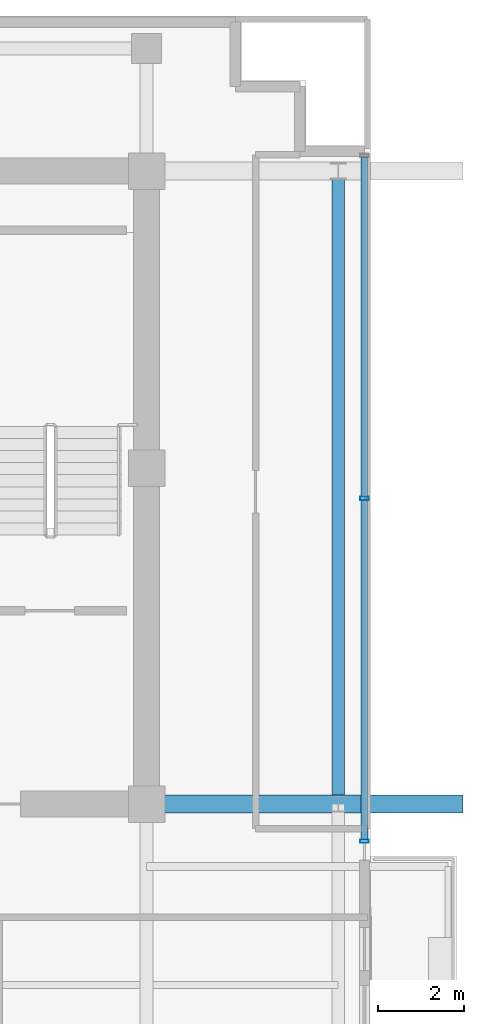
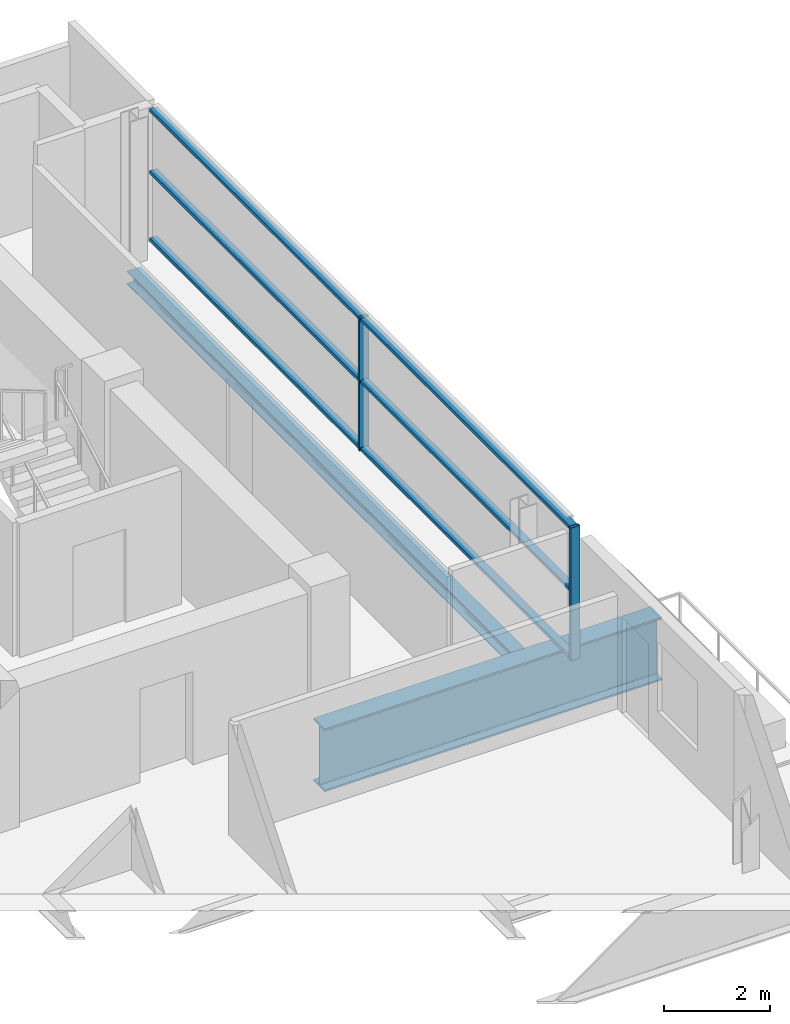
# One storey, part 11 of 24: 8 members, 2 beams, 1 element without a shape of its own.
"""IFC4 building model written with IfcOpenShell, lengths in metres."""

from ifc_helpers import new_model, si_unit, direction, frame, origin, origin_2d, place, context, subcontext, project, spatial, hollow_rectangle, i_section, extrude, source, transform, mapped, material, layer, layer_set, material_profile, profile_set, type_object, element, aggregate, save


model = new_model("IFC4")

# Units and contexts
model_context = context("Model", 3, precision=1e-05, world=origin(), true_north=direction((0.0, 1.0)))
body_context = subcontext(model_context, "Body", "Model", "MODEL_VIEW")
ifc_project = project(units=[si_unit("LENGTHUNIT", "METRE"), si_unit("AREAUNIT", "SQUARE_METRE"), si_unit("VOLUMEUNIT", "CUBIC_METRE"), si_unit("PLANEANGLEUNIT", "RADIAN"), si_unit("MASSUNIT", "GRAM", prefix="KILO")], contexts=[model_context])

# Site, building, storey
site_placement = place(None, origin())
site = spatial("IfcSite", under=ifc_project, at=site_placement, CompositionType="ELEMENT")
building_placement = place(site_placement, origin())
building = spatial("IfcBuilding", under=site, at=building_placement, Name="Zarnakvel Exchange Tower", CompositionType="ELEMENT")
storey_placement = place(building_placement, frame((0.0, 0.0, 205.60009765625)))
storey = spatial("IfcBuildingStorey", under=building, at=storey_placement, Name="L57", CompositionType="ELEMENT", Elevation=205.60009765625)

# Beams
ifc_material_1 = material(Name="Steel S355", Category="steel")
ifc_material_profile_1 = material_profile(ifc_material_1, i_section(OverallWidth=0.300048828125, OverallDepth=0.300048828125, WebThickness=0.010986328125, FlangeThickness=0.01904296875, FilletRadius=0.027099609375, at=origin_2d()))
ifc_profile_set_1 = profile_set([ifc_material_profile_1], Name="Steel S355")
beam_type_1 = type_object("IfcBeamType", Name="SP-03", PredefinedType="SPANDREL", material=ifc_profile_set_1)
beam_1_placement = place(storey_placement, frame((18.85009765625, -1.199951171875, -0.400146484375), z_axis=(0.0, 1.0, 0.0), x_axis=(-1.0, 0.0, 0.0)))
element("IfcBeam", 1, at=beam_1_placement, inside=storey, type_object=beam_type_1, Name="L57 Tower N-S Frame Beam", PredefinedType="SPANDREL", context=body_context, shape_type="SweptSolid", body=[
    extrude(i_section(OverallWidth=0.300048828125, OverallDepth=0.300048828125, WebThickness=0.010986328125, FlangeThickness=0.01904296875, FilletRadius=0.027099609375, at=origin_2d()), origin(), (0.0, 0.0, 1.0), 14.699951171875),
])
ifc_material_2 = material(Name="Steel S460", Category="steel")
ifc_material_profile_2 = material_profile(ifc_material_2, i_section(OverallWidth=0.419921875, OverallDepth=1.449951171875, WebThickness=0.02392578125, FlangeThickness=0.0400390625, FilletRadius=0.030029296875, at=origin_2d()))
ifc_profile_set_2 = profile_set([ifc_material_profile_2], Name="Steel S460")
beam_type_2 = type_object("IfcBeamType", Name="TG-01", PredefinedType="BEAM", material=ifc_profile_set_2)
beam_2_placement = place(storey_placement, frame((14.39990234375, -1.199951171875, -0.97509765625), z_axis=(1.0, 0.0, 0.0), x_axis=(0.0, 1.0, 0.0)))
element("IfcBeam", 2, at=beam_2_placement, inside=storey, type_object=beam_type_2, Name="L57 Setback E-W Transfer Girder TE-D", PredefinedType="BEAM", context=body_context, shape_type="SweptSolid", body=[
    extrude(i_section(OverallWidth=0.419921875, OverallDepth=1.449951171875, WebThickness=0.02392578125, FlangeThickness=0.0400390625, FilletRadius=0.030029296875, at=origin_2d()), origin(), (0.0, 0.0, 1.0), 7.35009765625),
])

# Curtain wall, members
ifc_material_3 = material(Name="Architectural Bronze Anodised Aluminium", Category="aluminium")
ifc_layer = layer(ifc_material_3, 0.199951171875)
ifc_layer_set = layer_set([ifc_layer], Name="Architectural Bronze Anodised Aluminium")
curtain_wall_type = type_object("IfcCurtainWallType", Name="CW-04", PredefinedType="NOTDEFINED", material=ifc_layer_set)
curtain_wall_placement = place(storey_placement, origin())
curtain_wall = element("IfcCurtainWall", 3, at=curtain_wall_placement, inside=storey, type_object=curtain_wall_type, Name="L57 Curtain Wall CW-L57-EN (CW-04)", PredefinedType="NOTDEFINED")
ifc_material_profile_3 = material_profile(ifc_material_3, hollow_rectangle(XDim=0.199951171875, YDim=0.074951171875, WallThickness=0.0048828125, at=origin_2d()))
ifc_profile_set_3 = profile_set([ifc_material_profile_3], Name="Architectural Bronze Anodised Aluminium")
member_type_1 = type_object("IfcMemberType", Name="CWM-04", PredefinedType="MULLION", material=ifc_profile_set_3)
shared_shape_1 = source(origin(), body_context, "Body", "SweptSolid", [
    extrude(hollow_rectangle(XDim=0.199951171875, YDim=0.074951171875, WallThickness=0.0048828125, at=origin_2d()), origin(), (0.0, 0.0, 1.0), 3.054931640625),
])
member_1_placement = place(storey_placement, frame((19.4599609375, -2.0625, 0.0), z_axis=(0.0, 0.0, 1.0), x_axis=(-1.0, 0.0, 0.0)))
member_1 = element("IfcMember", 4, at=member_1_placement, type_object=member_type_1, Name="CW-04 mullion 1", PredefinedType="MULLION", context=body_context, shape_type="MappedRepresentation", body=[
    mapped(shared_shape_1, transform((0.0, 0.0, 0.0), x_axis=(1.0, 0.0, 0.0), y_axis=(0.0, 1.0, 0.0), z_axis=(0.0, 0.0, 1.0), scale=1.0)),
])
member_2_placement = place(storey_placement, frame((19.4599609375, 5.89990234375, 0.0), z_axis=(0.0, 0.0, 1.0), x_axis=(-1.0, 0.0, 0.0)))
member_2 = element("IfcMember", 5, at=member_2_placement, type_object=member_type_1, Name="CW-04 mullion 2", PredefinedType="MULLION", context=body_context, shape_type="MappedRepresentation", body=[
    mapped(shared_shape_1, transform((0.0, 0.0, 0.0), x_axis=(1.0, 0.0, 0.0), y_axis=(0.0, 1.0, 0.0), z_axis=(0.0, 0.0, 1.0), scale=1.0)),
])
ifc_material_profile_4 = material_profile(ifc_material_3, hollow_rectangle(XDim=0.159912109375, YDim=0.074951171875, WallThickness=0.00390625, at=origin_2d()))
ifc_profile_set_4 = profile_set([ifc_material_profile_4], Name="Architectural Bronze Anodised Aluminium")
member_type_2 = type_object("IfcMemberType", Name="CWT-04", PredefinedType="USERDEFINED", material=ifc_profile_set_4)
shared_shape_2 = source(origin(), body_context, "Body", "SweptSolid", [
    extrude(hollow_rectangle(XDim=0.159912109375, YDim=0.074951171875, WallThickness=0.00390625, at=origin_2d()), origin(), (0.0, 0.0, 1.0), 7.887451171875),
])
member_3_placement = place(storey_placement, frame((19.4599609375, -2.02490234375, 0.037353515625), z_axis=(0.0, 1.0, 0.0), x_axis=(-1.0, 0.0, 0.0)))
member_3 = element("IfcMember", 6, at=member_3_placement, type_object=member_type_2, Name="CW-04 transom 1.1", ObjectType="TRANSOM", PredefinedType="USERDEFINED", context=body_context, shape_type="MappedRepresentation", body=[
    mapped(shared_shape_2, transform((0.0, 0.0, 0.0), x_axis=(1.0, 0.0, 0.0), y_axis=(0.0, 1.0, 0.0), z_axis=(0.0, 0.0, 1.0), scale=1.0)),
])
member_4_placement = place(storey_placement, frame((19.4599609375, -2.02490234375, 1.588623046875), z_axis=(0.0, 1.0, 0.0), x_axis=(-1.0, 0.0, 0.0)))
member_4 = element("IfcMember", 7, at=member_4_placement, type_object=member_type_2, Name="CW-04 transom 1.2", ObjectType="TRANSOM", PredefinedType="USERDEFINED", context=body_context, shape_type="MappedRepresentation", body=[
    mapped(shared_shape_2, transform((0.0, 0.0, 0.0), x_axis=(1.0, 0.0, 0.0), y_axis=(0.0, 1.0, 0.0), z_axis=(0.0, 0.0, 1.0), scale=1.0)),
])
member_5_placement = place(storey_placement, frame((19.4599609375, -2.02490234375, 3.017333984375), z_axis=(0.0, 1.0, 0.0), x_axis=(-1.0, 0.0, 0.0)))
member_5 = element("IfcMember", 8, at=member_5_placement, type_object=member_type_2, Name="CW-04 transom 1.3", ObjectType="TRANSOM", PredefinedType="USERDEFINED", context=body_context, shape_type="MappedRepresentation", body=[
    mapped(shared_shape_2, transform((0.0, 0.0, 0.0), x_axis=(1.0, 0.0, 0.0), y_axis=(0.0, 1.0, 0.0), z_axis=(0.0, 0.0, 1.0), scale=1.0)),
])
member_6_placement = place(storey_placement, frame((19.4599609375, 5.9375, 0.037353515625), z_axis=(0.0, 1.0, 0.0), x_axis=(-1.0, 0.0, 0.0)))
member_6 = element("IfcMember", 9, at=member_6_placement, type_object=member_type_2, Name="CW-04 transom 2.1", ObjectType="TRANSOM", PredefinedType="USERDEFINED", context=body_context, shape_type="MappedRepresentation", body=[
    mapped(shared_shape_2, transform((0.0, 0.0, 0.0), x_axis=(1.0, 0.0, 0.0), y_axis=(0.0, 1.0, 0.0), z_axis=(0.0, 0.0, 1.0), scale=1.0)),
])
member_7_placement = place(storey_placement, frame((19.4599609375, 5.9375, 1.588623046875), z_axis=(0.0, 1.0, 0.0), x_axis=(-1.0, 0.0, 0.0)))
member_7 = element("IfcMember", 10, at=member_7_placement, type_object=member_type_2, Name="CW-04 transom 2.2", ObjectType="TRANSOM", PredefinedType="USERDEFINED", context=body_context, shape_type="MappedRepresentation", body=[
    mapped(shared_shape_2, transform((0.0, 0.0, 0.0), x_axis=(1.0, 0.0, 0.0), y_axis=(0.0, 1.0, 0.0), z_axis=(0.0, 0.0, 1.0), scale=1.0)),
])
member_8_placement = place(storey_placement, frame((19.4599609375, 5.9375, 3.017333984375), z_axis=(0.0, 1.0, 0.0), x_axis=(-1.0, 0.0, 0.0)))
member_8 = element("IfcMember", 11, at=member_8_placement, type_object=member_type_2, Name="CW-04 transom 2.3", ObjectType="TRANSOM", PredefinedType="USERDEFINED", context=body_context, shape_type="MappedRepresentation", body=[
    mapped(shared_shape_2, transform((0.0, 0.0, 0.0), x_axis=(1.0, 0.0, 0.0), y_axis=(0.0, 1.0, 0.0), z_axis=(0.0, 0.0, 1.0), scale=1.0)),
])
aggregate(curtain_wall, [member_1, member_2, member_3, member_4, member_5, member_6, member_7, member_8])

save(model, "model.ifc")
